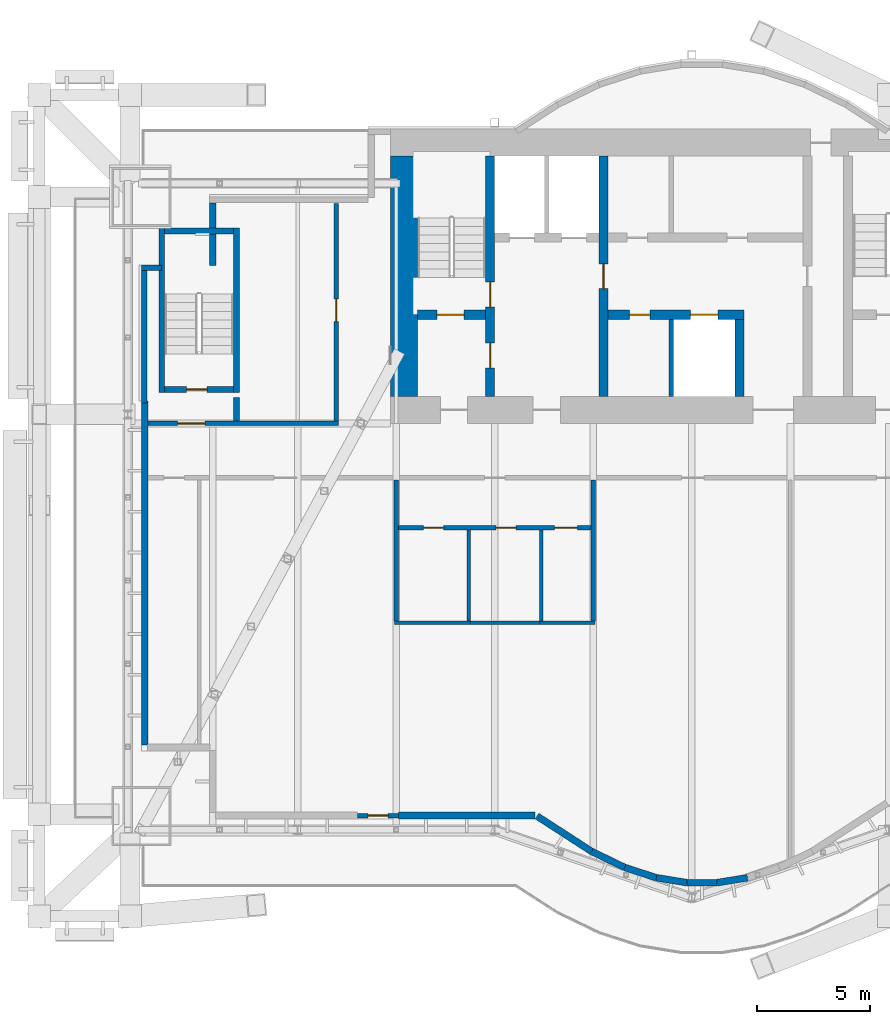
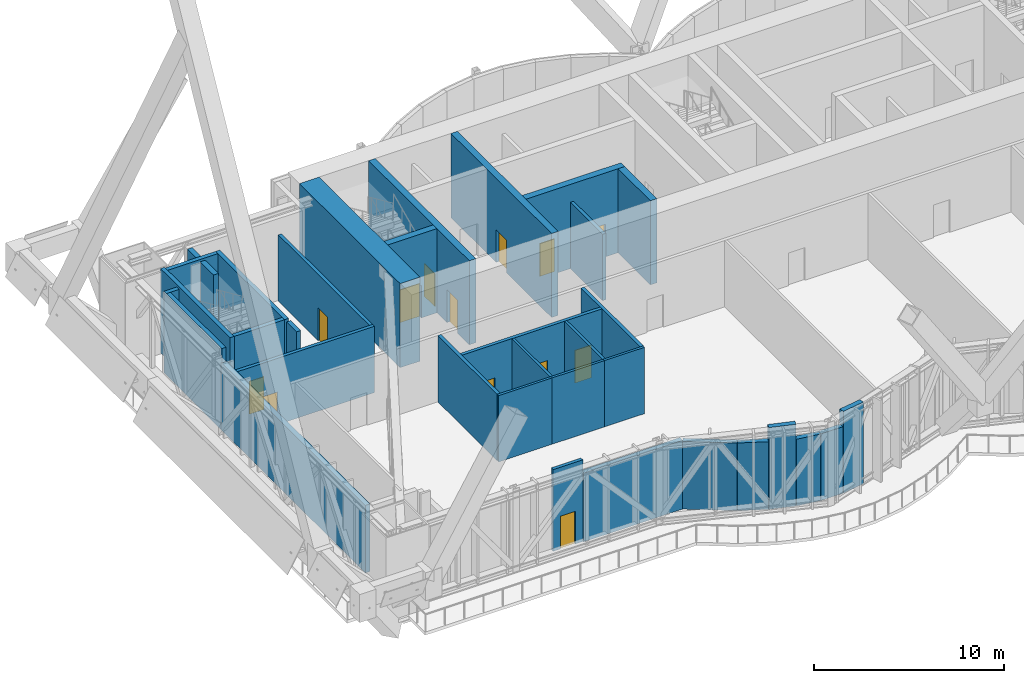
# One storey, part 23 of 30: 34 walls, 13 doors, 13 openings.
"""IFC4 building model written with IfcOpenShell, lengths in metres."""

from ifc_helpers import new_model, si_unit, direction, frame, frame_2d, origin, place, context, subcontext, project, spatial, rectangle, extrude, material, layer, layer_set, layer_usage, type_object, element, fill, save


model = new_model("IFC4")

# Units and contexts
model_context = context("Model", 3, precision=1e-05, world=origin(), true_north=direction((0.0, 1.0)))
body_context = subcontext(model_context, "Body", "Model", "MODEL_VIEW")
ifc_project = project(units=[si_unit("LENGTHUNIT", "METRE"), si_unit("AREAUNIT", "SQUARE_METRE"), si_unit("VOLUMEUNIT", "CUBIC_METRE"), si_unit("PLANEANGLEUNIT", "RADIAN"), si_unit("MASSUNIT", "GRAM", prefix="KILO")], contexts=[model_context])

# Site, building, storey
site_placement = place(None, origin())
site = spatial("IfcSite", under=ifc_project, at=site_placement, CompositionType="ELEMENT")
building_placement = place(site_placement, origin())
building = spatial("IfcBuilding", under=site, at=building_placement, Name="Bicima Exchange Tower", CompositionType="ELEMENT")
storey_placement = place(building_placement, frame((0.0, 0.0, 185.5)))
storey = spatial("IfcBuildingStorey", under=building, at=storey_placement, Name="L41", CompositionType="ELEMENT", Elevation=185.5)

# Wall, opening, door
ifc_material_1 = material(Name="Concrete C40/50", Category="concrete")
ifc_layer_1 = layer(ifc_material_1, 0.2)
ifc_layer_set_1 = layer_set([ifc_layer_1], Name="Concrete C40/50")
ifc_layer_usage_1 = layer_usage(ifc_layer_set_1, "AXIS2", "POSITIVE", -0.1)
wall_type_1 = type_object("IfcWallType", Name="Entrance frame wall 200", PredefinedType="STANDARD", material=ifc_layer_set_1)
wall_1_placement = place(storey_placement, frame((-21.64990234375, -30.31005859375, 0.0), z_axis=(0.0, 0.0, 1.0), x_axis=(-1.0, 0.0, 0.0)))
wall_1 = element("IfcWall", 1, at=wall_1_placement, inside=storey, type_object=wall_type_1, material=ifc_layer_usage_1, Name="Band door frame wall L41", PredefinedType="STANDARD", context=body_context, shape_type="SweptSolid", body=[
    extrude(rectangle(XDim=1.800048828125, YDim=0.199951171875, at=frame_2d((0.89990234375, 0.0))), origin(), (0.0, 0.0, 1.0), 5.25),
])
opening_1_placement = place(wall_1_placement, frame((0.449951171875, 0.0, 0.0)))
opening_1 = element("IfcOpeningElement", 2, at=opening_1_placement, cuts=wall_1, Name="Opening DX5", PredefinedType="OPENING", context=body_context, shape_type="SweptSolid", body=[
    extrude(rectangle(XDim=0.89990234375, YDim=2.10009765625, at=frame_2d((0.449951171875, 1.050048828125))), frame((0.0, 0.11181640625, 0.0), z_axis=(0.0, -1.0, 0.0), x_axis=(1.0, 0.0, 0.0)), (0.0, 0.0, 1.0), 0.223876953125),
])
ifc_material_2 = material(Name="Anodised bronze aluminium and bonded safety glass", Category="aluminium")
door_type_1 = type_object("IfcDoorType", Name="Band terrace door, single leaf 900 x 2100", OperationType="SINGLE_SWING_LEFT", PredefinedType="DOOR", material=ifc_material_2)
door_1_placement = place(opening_1_placement, origin())
door_1 = element("IfcDoor", 3, at=door_1_placement, inside=storey, type_object=door_type_1, Name="Band door door L41", OperationType="SINGLE_SWING_LEFT", OverallHeight=2.10009765625, OverallWidth=0.89990234375, PredefinedType="DOOR", context=body_context, shape_type="SweptSolid", body=[
    extrude(rectangle(XDim=0.89990234375, YDim=2.10009765625, at=frame_2d((0.449951171875, 1.050048828125))), frame((0.0, 0.02490234375, 0.0), z_axis=(0.0, -1.0, 0.0), x_axis=(1.0, 0.0, 0.0)), (0.0, 0.0, 1.0), 0.050048828125),
])
fill(opening_1, door_1)

# Wall
ifc_material_3 = material(Name="Gypsum board partition")
ifc_layer_2 = layer(ifc_material_3, 0.199951171875)
ifc_layer_set_2 = layer_set([ifc_layer_2], Name="Gypsum board partition")
wall_type_2 = type_object("IfcWallType", Name="Fire-rated gypsum partition 200 EI120", PredefinedType="PARTITIONING", material=ifc_layer_set_2)
wall_2_placement = place(storey_placement, frame((-9.60009765625, -11.800048828125, 0.0), z_axis=(0.0, 0.0, 1.0), x_axis=(0.0, 1.0, 0.0)))
element("IfcWall", 4, at=wall_2_placement, inside=storey, type_object=wall_type_2, Name="partition wall 11", PredefinedType="PARTITIONING", context=body_context, shape_type="SweptSolid", body=[
    extrude(rectangle(XDim=3.400146484375, YDim=0.199951171875, at=frame_2d((1.7001953125, 0.0))), origin(), (0.0, 0.0, 1.0), 4.259765625),
])

# Wall, openings, doors
ifc_layer_3 = layer(ifc_material_3, 0.199951171875)
ifc_layer_set_3 = layer_set([ifc_layer_3], Name="Gypsum board partition")
wall_type_3 = type_object("IfcWallType", Name="Fire-rated gypsum partition 200 EI60", PredefinedType="PARTITIONING", material=ifc_layer_set_3)
wall_3_placement = place(storey_placement, frame((-21.64990234375, -17.60009765625, 0.0), z_axis=(0.0, 0.0, 1.0), x_axis=(1.0, 0.0, 0.0)))
wall_3 = element("IfcWall", 5, at=wall_3_placement, inside=storey, type_object=wall_type_3, Name="partition wall 4", PredefinedType="PARTITIONING", context=body_context, shape_type="SweptSolid", body=[
    extrude(rectangle(XDim=8.5, YDim=0.199951171875, at=frame_2d((4.25, 0.0))), origin(), (0.0, 0.0, 1.0), 4.259765625),
])
opening_2_placement = place(wall_3_placement, frame((1.10009765625, 0.0, 0.0)))
opening_2 = element("IfcOpeningElement", 6, at=opening_2_placement, cuts=wall_3, Name="Opening L41-010", PredefinedType="OPENING", context=body_context, shape_type="SweptSolid", body=[
    extrude(rectangle(XDim=0.89990234375, YDim=2.10009765625, at=frame_2d((0.449951171875, 1.050048828125))), frame((0.0, 0.11181640625, 0.0), z_axis=(0.0, -1.0, 0.0), x_axis=(1.0, 0.0, 0.0)), (0.0, 0.0, 1.0), 0.223876953125),
])
opening_3_placement = place(wall_3_placement, frame((4.300048828125, 0.0, 0.0)))
opening_3 = element("IfcOpeningElement", 7, at=opening_3_placement, cuts=wall_3, Name="Opening L41-011", PredefinedType="OPENING", context=body_context, shape_type="SweptSolid", body=[
    extrude(rectangle(XDim=0.89990234375, YDim=2.10009765625, at=frame_2d((0.449951171875, 1.050048828125))), frame((0.0, 0.11181640625, 0.0), z_axis=(0.0, -1.0, 0.0), x_axis=(1.0, 0.0, 0.0)), (0.0, 0.0, 1.0), 0.223876953125),
])
opening_4_placement = place(wall_3_placement, frame((6.89990234375, 0.0, 0.0)))
opening_4 = element("IfcOpeningElement", 8, at=opening_4_placement, cuts=wall_3, Name="Opening L41-012", PredefinedType="OPENING", context=body_context, shape_type="SweptSolid", body=[
    extrude(rectangle(XDim=1.0, YDim=2.10009765625, at=frame_2d((0.5, 1.050048828125))), frame((0.0, 0.11181640625, 0.0), z_axis=(0.0, -1.0, 0.0), x_axis=(1.0, 0.0, 0.0)), (0.0, 0.0, 1.0), 0.223876953125),
])
ifc_material_4 = material(Name="Steel fire door leaf", Category="steel")
door_type_2 = type_object("IfcDoorType", Name="Door 1000 swing FD30S", OperationType="SINGLE_SWING_LEFT", PredefinedType="DOOR", material=ifc_material_4)
door_2_placement = place(opening_4_placement, frame((1.0, 0.0, 0.0), z_axis=(0.0, 0.0, 1.0), x_axis=(-1.0, 0.0, 0.0)))
door_2 = element("IfcDoor", 9, at=door_2_placement, inside=storey, type_object=door_type_2, Name="Door", OperationType="SINGLE_SWING_RIGHT", OverallHeight=2.10009765625, OverallWidth=1.0, PredefinedType="DOOR", context=body_context, shape_type="SweptSolid", body=[
    extrude(rectangle(XDim=1.0, YDim=2.10009765625, at=frame_2d((0.5, 1.050048828125))), frame((0.0, 0.02490234375, 0.0), z_axis=(0.0, -1.0, 0.0), x_axis=(1.0, 0.0, 0.0)), (0.0, 0.0, 1.0), 0.050048828125),
])
fill(opening_4, door_2)
door_type_3 = type_object("IfcDoorType", Name="Door 900 swing FD30S", OperationType="SINGLE_SWING_LEFT", PredefinedType="DOOR", material=ifc_material_4)
door_3_placement = place(opening_2_placement, frame((0.89990234375, 0.0, 0.0), z_axis=(0.0, 0.0, 1.0), x_axis=(-1.0, 0.0, 0.0)))
door_3 = element("IfcDoor", 10, at=door_3_placement, inside=storey, type_object=door_type_3, Name="Door", OperationType="SINGLE_SWING_LEFT", OverallHeight=2.10009765625, OverallWidth=0.89990234375, PredefinedType="DOOR", context=body_context, shape_type="SweptSolid", body=[
    extrude(rectangle(XDim=0.89990234375, YDim=2.10009765625, at=frame_2d((0.449951171875, 1.050048828125))), frame((0.0, 0.02490234375, 0.0), z_axis=(0.0, -1.0, 0.0), x_axis=(1.0, 0.0, 0.0)), (0.0, 0.0, 1.0), 0.050048828125),
])
fill(opening_2, door_3)
door_4_placement = place(opening_3_placement, frame((0.89990234375, 0.0, 0.0), z_axis=(0.0, 0.0, 1.0), x_axis=(-1.0, 0.0, 0.0)))
door_4 = element("IfcDoor", 11, at=door_4_placement, inside=storey, type_object=door_type_3, Name="Door", OperationType="SINGLE_SWING_RIGHT", OverallHeight=2.10009765625, OverallWidth=0.89990234375, PredefinedType="DOOR", context=body_context, shape_type="SweptSolid", body=[
    extrude(rectangle(XDim=0.89990234375, YDim=2.10009765625, at=frame_2d((0.449951171875, 1.050048828125))), frame((0.0, 0.02490234375, 0.0), z_axis=(0.0, -1.0, 0.0), x_axis=(1.0, 0.0, 0.0)), (0.0, 0.0, 1.0), 0.050048828125),
])
fill(opening_3, door_4)

# Wall, opening, door
wall_4_placement = place(storey_placement, frame((-32.699951171875, -13.0, 0.0), z_axis=(0.0, 0.0, 1.0), x_axis=(1.0, 0.0, 0.0)))
wall_4 = element("IfcWall", 12, at=wall_4_placement, inside=storey, type_object=wall_type_3, Name="partition wall 6", PredefinedType="PARTITIONING", context=body_context, shape_type="SweptSolid", body=[
    extrude(rectangle(XDim=8.39990234375, YDim=0.199951171875, at=frame_2d((4.199951171875, 0.0))), origin(), (0.0, 0.0, 1.0), 4.259765625),
])
opening_5_placement = place(wall_4_placement, frame((1.300048828125, 0.0, 0.0)))
opening_5 = element("IfcOpeningElement", 13, at=opening_5_placement, cuts=wall_4, Name="Opening L41-001", PredefinedType="OPENING", context=body_context, shape_type="SweptSolid", body=[
    extrude(rectangle(XDim=1.199951171875, YDim=2.10009765625, at=frame_2d((0.60009765625, 1.050048828125))), frame((0.0, 0.11181640625, 0.0), z_axis=(0.0, -1.0, 0.0), x_axis=(1.0, 0.0, 0.0)), (0.0, 0.0, 1.0), 0.223876953125),
])
door_type_4 = type_object("IfcDoorType", Name="Door 1200 swing FD30S", OperationType="SINGLE_SWING_LEFT", PredefinedType="DOOR", material=ifc_material_4)
door_5_placement = place(opening_5_placement, origin())
door_5 = element("IfcDoor", 14, at=door_5_placement, inside=storey, type_object=door_type_4, Name="Door", OperationType="SINGLE_SWING_LEFT", OverallHeight=2.10009765625, OverallWidth=1.199951171875, PredefinedType="DOOR", context=body_context, shape_type="SweptSolid", body=[
    extrude(rectangle(XDim=1.199951171875, YDim=2.10009765625, at=frame_2d((0.60009765625, 1.050048828125))), frame((0.0, 0.02490234375, 0.0), z_axis=(0.0, -1.0, 0.0), x_axis=(1.0, 0.0, 0.0)), (0.0, 0.0, 1.0), 0.050048828125),
])
fill(opening_5, door_5)

wall_5_placement = place(storey_placement, frame((-24.39990234375, -12.89990234375, 0.0), z_axis=(0.0, 0.0, 1.0), x_axis=(0.0, 1.0, 0.0)))
wall_5 = element("IfcWall", 15, at=wall_5_placement, inside=storey, type_object=wall_type_3, Name="partition wall 15", PredefinedType="PARTITIONING", context=body_context, shape_type="SweptSolid", body=[
    extrude(rectangle(XDim=9.599853515625, YDim=0.199951171875, at=frame_2d((4.7998046875, 0.0))), origin(), (0.0, 0.0, 1.0), 4.259765625),
])
opening_6_placement = place(wall_5_placement, frame((4.39990234375, 0.0, 0.0)))
opening_6 = element("IfcOpeningElement", 16, at=opening_6_placement, cuts=wall_5, Name="Opening L41-005", PredefinedType="OPENING", context=body_context, shape_type="SweptSolid", body=[
    extrude(rectangle(XDim=1.0, YDim=2.10009765625, at=frame_2d((0.5, 1.050048828125))), frame((0.0, 0.11181640625, 0.0), z_axis=(0.0, -1.0, 0.0), x_axis=(1.0, 0.0, 0.0)), (0.0, 0.0, 1.0), 0.223876953125),
])
door_6_placement = place(opening_6_placement, origin())
door_6 = element("IfcDoor", 17, at=door_6_placement, inside=storey, type_object=door_type_2, Name="Door", OperationType="SINGLE_SWING_LEFT", OverallHeight=2.10009765625, OverallWidth=1.0, PredefinedType="DOOR", context=body_context, shape_type="SweptSolid", body=[
    extrude(rectangle(XDim=1.0, YDim=2.10009765625, at=frame_2d((0.5, 1.050048828125))), frame((0.0, 0.02490234375, 0.0), z_axis=(0.0, -1.0, 0.0), x_axis=(1.0, 0.0, 0.0)), (0.0, 0.0, 1.0), 0.050048828125),
])
fill(opening_6, door_6)

# Walls
for number, where, z_axis, x_axis, name in (
    (18, (-21.75, -21.72509765625, 0.0), (0.0, 0.0, 1.0), (0.0, 1.0, 0.0), "partition wall 16"),
    (19, (-13.050048828125, -21.72509765625, 0.0), (0.0, 0.0, 1.0), (0.0, 1.0, 0.0), "partition wall 19"),
):
    element("IfcWall", number, at=place(storey_placement, frame(where, z_axis=z_axis, x_axis=x_axis)), inside=storey, type_object=wall_type_3, Name=name, PredefinedType="PARTITIONING", context=body_context, shape_type="SweptSolid", body=[
        extrude(rectangle(XDim=6.22509765625, YDim=0.199951171875, at=frame_2d((3.112548828125, 0.0))), origin(), (0.0, 0.0, 1.0), 4.259765625),
    ])
ifc_layer_4 = layer(ifc_material_3, 0.14990234375)
ifc_layer_set_4 = layer_set([ifc_layer_4], Name="Gypsum board partition")
wall_type_4 = type_object("IfcWallType", Name="Gypsum partition 150", PredefinedType="PARTITIONING", material=ifc_layer_set_4)
wall_6_placement = place(storey_placement, frame((-21.830078125, -21.800048828125, 0.0), z_axis=(0.0, 0.0, 1.0), x_axis=(1.0, 0.0, 0.0)))
element("IfcWall", 20, at=wall_6_placement, inside=storey, type_object=wall_type_4, Name="partition wall 1", PredefinedType="PARTITIONING", context=body_context, shape_type="SweptSolid", body=[
    extrude(rectangle(XDim=3.3349609375, YDim=0.14990234375, at=frame_2d((1.66748046875, 0.0))), origin(), (0.0, 0.0, 1.0), 4.259765625),
])
wall_7_placement = place(storey_placement, frame((-18.60498046875, -21.800048828125, 0.0), z_axis=(0.0, 0.0, 1.0), x_axis=(1.0, 0.0, 0.0)))
element("IfcWall", 21, at=wall_7_placement, inside=storey, type_object=wall_type_4, Name="partition wall 2", PredefinedType="PARTITIONING", context=body_context, shape_type="SweptSolid", body=[
    extrude(rectangle(XDim=3.31005859375, YDim=0.14990234375, at=frame_2d((1.655029296875, 0.0))), origin(), (0.0, 0.0, 1.0), 4.259765625),
])
wall_8_placement = place(storey_placement, frame((-15.405029296875, -21.800048828125, 0.0), z_axis=(0.0, 0.0, 1.0), x_axis=(1.0, 0.0, 0.0)))
element("IfcWall", 22, at=wall_8_placement, inside=storey, type_object=wall_type_4, Name="partition wall 3", PredefinedType="PARTITIONING", context=body_context, shape_type="SweptSolid", body=[
    extrude(rectangle(XDim=2.43505859375, YDim=0.14990234375, at=frame_2d((1.217529296875, 0.0))), origin(), (0.0, 0.0, 1.0), 4.259765625),
])
for number, where, z_axis, x_axis, name in (
    (23, (-18.550048828125, -21.72509765625, 0.0), (0.0, 0.0, 1.0), (0.0, 1.0, 0.0), "partition wall 17"),
    (24, (-15.35009765625, -21.72509765625, 0.0), (0.0, 0.0, 1.0), (0.0, 1.0, 0.0), "partition wall 18"),
):
    element("IfcWall", number, at=place(storey_placement, frame(where, z_axis=z_axis, x_axis=x_axis)), inside=storey, type_object=wall_type_4, Name=name, PredefinedType="PARTITIONING", context=body_context, shape_type="SweptSolid", body=[
        extrude(rectangle(XDim=4.025146484375, YDim=0.14990234375, at=frame_2d((2.0126953125, 0.0))), origin(), (0.0, 0.0, 1.0), 4.259765625),
    ])
ifc_material_5 = material(Name="Concrete C50/60", Category="concrete")
ifc_layer_5 = layer(ifc_material_5, 1.199951171875)
ifc_layer_set_5 = layer_set([ifc_layer_5], Name="Concrete C50/60")
wall_type_5 = type_object("IfcWallType", Name="RC core wall 1200 C50/60", PredefinedType="SHEAR", material=ifc_layer_set_5)
wall_9_placement = place(storey_placement, frame((-21.39990234375, -11.800048828125, 0.0), z_axis=(0.0, 0.0, 1.0), x_axis=(0.0, 1.0, 0.0)))
element("IfcWall", 25, at=wall_9_placement, inside=storey, type_object=wall_type_5, Name="Core wall west", PredefinedType="SHEAR", context=body_context, shape_type="SweptSolid", body=[
    extrude(rectangle(XDim=10.60009765625, YDim=1.199951171875, at=frame_2d((5.300048828125, 0.0))), origin(), (0.0, 0.0, 1.0), 5.39990234375),
])
ifc_layer_6 = layer(ifc_material_5, 0.25)
ifc_layer_set_6 = layer_set([ifc_layer_6], Name="Concrete C50/60")
wall_type_6 = type_object("IfcWallType", Name="RC core wall 250 C50/60", PredefinedType="SHEAR", material=ifc_layer_set_6)
wall_10_placement = place(storey_placement, frame((-28.800048828125, -12.89990234375, 0.0), z_axis=(0.0, 0.0, 1.0), x_axis=(0.0, 1.0, 0.0)))
element("IfcWall", 26, at=wall_10_placement, inside=storey, type_object=wall_type_6, Name="stair wall 14", PredefinedType="SHEAR", context=body_context, shape_type="SweptSolid", body=[
    extrude(rectangle(XDim=1.0498046875, YDim=0.25, at=frame_2d((0.52490234375, 0.0))), origin(), (0.0, 0.0, 1.0), 5.39990234375),
])

# Wall, opening, door
ifc_layer_7 = layer(ifc_material_5, 0.39990234375)
ifc_layer_set_7 = layer_set([ifc_layer_7], Name="Concrete C50/60")
wall_type_7 = type_object("IfcWallType", Name="RC core wall 400 C50/60", PredefinedType="SHEAR", material=ifc_layer_set_7)
wall_11_placement = place(storey_placement, frame((-20.800048828125, -8.199951171875, 0.0), z_axis=(0.0, 0.0, 1.0), x_axis=(1.0, 0.0, 0.0)))
wall_11 = element("IfcWall", 27, at=wall_11_placement, inside=storey, type_object=wall_type_7, Name="stair wall 1", PredefinedType="SHEAR", context=body_context, shape_type="SweptSolid", body=[
    extrude(rectangle(XDim=3.0, YDim=0.39990234375, at=frame_2d((1.5, 0.0))), origin(), (0.0, 0.0, 1.0), 5.39990234375),
])
opening_7_placement = place(wall_11_placement, frame((0.85009765625, 0.0, 0.0)))
opening_7 = element("IfcOpeningElement", 28, at=opening_7_placement, cuts=wall_11, Name="Opening L41-C01", PredefinedType="OPENING", context=body_context, shape_type="SweptSolid", body=[
    extrude(rectangle(XDim=1.199951171875, YDim=2.10009765625, at=frame_2d((0.60009765625, 1.050048828125))), frame((0.0, 0.2119140625, 0.0), z_axis=(0.0, -1.0, 0.0), x_axis=(1.0, 0.0, 0.0)), (0.0, 0.0, 1.0), 0.423828125),
])
door_type_5 = type_object("IfcDoorType", Name="Door 1200 swing FD60S", OperationType="SINGLE_SWING_LEFT", PredefinedType="DOOR", material=ifc_material_4)
door_7_placement = place(opening_7_placement, origin())
door_7 = element("IfcDoor", 29, at=door_7_placement, inside=storey, type_object=door_type_5, Name="Core door", OperationType="SINGLE_SWING_LEFT", OverallHeight=2.10009765625, OverallWidth=1.199951171875, PredefinedType="DOOR", context=body_context, shape_type="SweptSolid", body=[
    extrude(rectangle(XDim=1.199951171875, YDim=2.10009765625, at=frame_2d((0.60009765625, 1.050048828125))), frame((0.0, 0.02490234375, 0.0), z_axis=(0.0, -1.0, 0.0), x_axis=(1.0, 0.0, 0.0)), (0.0, 0.0, 1.0), 0.050048828125),
])
fill(opening_7, door_7)

# Wall, openings, doors
wall_12_placement = place(storey_placement, frame((-12.39990234375, -8.199951171875, 0.0), z_axis=(0.0, 0.0, 1.0), x_axis=(1.0, 0.0, 0.0)))
wall_12 = element("IfcWall", 30, at=wall_12_placement, inside=storey, type_object=wall_type_7, Name="shear wall 2", PredefinedType="SHEAR", context=body_context, shape_type="SweptSolid", body=[
    extrude(rectangle(XDim=6.0, YDim=0.39990234375, at=frame_2d((3.0, 0.0))), origin(), (0.0, 0.0, 1.0), 5.39990234375),
])
opening_8_placement = place(wall_12_placement, frame((3.64990234375, 0.0, 0.0)))
opening_8 = element("IfcOpeningElement", 31, at=opening_8_placement, cuts=wall_12, Name="Opening LD-MB1-L41", PredefinedType="OPENING", context=body_context, shape_type="SweptSolid", body=[
    extrude(rectangle(XDim=1.199951171875, YDim=2.10009765625, at=frame_2d((0.60009765625, 1.050048828125))), frame((0.0, 0.2119140625, 0.0), z_axis=(0.0, -1.0, 0.0), x_axis=(1.0, 0.0, 0.0)), (0.0, 0.0, 1.0), 0.423828125),
])
opening_9_placement = place(wall_12_placement, frame((0.949951171875, 0.0, 0.0)))
opening_9 = element("IfcOpeningElement", 32, at=opening_9_placement, cuts=wall_12, Name="Opening L41-C15", PredefinedType="OPENING", context=body_context, shape_type="SweptSolid", body=[
    extrude(rectangle(XDim=0.89990234375, YDim=2.10009765625, at=frame_2d((0.449951171875, 1.050048828125))), frame((0.0, 0.2119140625, 0.0), z_axis=(0.0, -1.0, 0.0), x_axis=(1.0, 0.0, 0.0)), (0.0, 0.0, 1.0), 0.423828125),
])
door_8_placement = place(opening_9_placement, frame((0.89990234375, 0.0, 0.0), z_axis=(0.0, 0.0, 1.0), x_axis=(-1.0, 0.0, 0.0)))
door_8 = element("IfcDoor", 33, at=door_8_placement, inside=storey, type_object=door_type_3, Name="Core door", OperationType="SINGLE_SWING_RIGHT", OverallHeight=2.10009765625, OverallWidth=0.89990234375, PredefinedType="DOOR", context=body_context, shape_type="SweptSolid", body=[
    extrude(rectangle(XDim=0.89990234375, YDim=2.10009765625, at=frame_2d((0.449951171875, 1.050048828125))), frame((0.0, 0.02490234375, 0.0), z_axis=(0.0, -1.0, 0.0), x_axis=(1.0, 0.0, 0.0)), (0.0, 0.0, 1.0), 0.050048828125),
])
fill(opening_9, door_8)
ifc_material_6 = material(Name="Stainless steel", Category="steel")
door_type_6 = type_object("IfcDoorType", Name="Lift landing door 1200 sliding", OperationType="DOUBLE_DOOR_SLIDING", PredefinedType="DOOR", material=ifc_material_6)
door_9_placement = place(opening_8_placement, origin())
door_9 = element("IfcDoor", 34, at=door_9_placement, inside=storey, type_object=door_type_6, Name="Lift landing door MB1", OperationType="DOUBLE_DOOR_SLIDING", OverallHeight=2.10009765625, OverallWidth=1.199951171875, PredefinedType="DOOR", context=body_context, shape_type="SweptSolid", body=[
    extrude(rectangle(XDim=1.199951171875, YDim=2.10009765625, at=frame_2d((0.60009765625, 1.050048828125))), frame((0.0, 0.02490234375, 0.0), z_axis=(0.0, -1.0, 0.0), x_axis=(1.0, 0.0, 0.0)), (0.0, 0.0, 1.0), 0.050048828125),
])
fill(opening_8, door_9)

wall_13_placement = place(storey_placement, frame((-17.60009765625, -11.800048828125, 0.0), z_axis=(0.0, 0.0, 1.0), x_axis=(0.0, 1.0, 0.0)))
wall_13 = element("IfcWall", 35, at=wall_13_placement, inside=storey, type_object=wall_type_7, Name="stair wall 8", PredefinedType="SHEAR", context=body_context, shape_type="SweptSolid", body=[
    extrude(rectangle(XDim=10.60009765625, YDim=0.39990234375, at=frame_2d((5.300048828125, 0.0))), origin(), (0.0, 0.0, 1.0), 5.39990234375),
])
opening_10_placement = place(wall_13_placement, frame((1.25, 0.0, 0.0)))
opening_10 = element("IfcOpeningElement", 36, at=opening_10_placement, cuts=wall_13, Name="Opening L41-C02", PredefinedType="OPENING", context=body_context, shape_type="SweptSolid", body=[
    extrude(rectangle(XDim=1.10009765625, YDim=2.10009765625, at=frame_2d((0.550048828125, 1.050048828125))), frame((0.0, 0.2119140625, 0.0), z_axis=(0.0, -1.0, 0.0), x_axis=(1.0, 0.0, 0.0)), (0.0, 0.0, 1.0), 0.423828125),
])
opening_11_placement = place(wall_13_placement, frame((3.949951171875, 0.0, 0.0)))
opening_11 = element("IfcOpeningElement", 37, at=opening_11_placement, cuts=wall_13, Name="Opening L41-C06", PredefinedType="OPENING", context=body_context, shape_type="SweptSolid", body=[
    extrude(rectangle(XDim=1.10009765625, YDim=2.10009765625, at=frame_2d((0.550048828125, 1.050048828125))), frame((0.0, 0.2119140625, 0.0), z_axis=(0.0, -1.0, 0.0), x_axis=(1.0, 0.0, 0.0)), (0.0, 0.0, 1.0), 0.423828125),
])
door_type_7 = type_object("IfcDoorType", Name="Door 1100 swing FD60S", OperationType="SINGLE_SWING_LEFT", PredefinedType="DOOR", material=ifc_material_4)
door_10_placement = place(opening_10_placement, frame((1.10009765625, 0.0, 0.0), z_axis=(0.0, 0.0, 1.0), x_axis=(-1.0, 0.0, 0.0)))
door_10 = element("IfcDoor", 38, at=door_10_placement, inside=storey, type_object=door_type_7, Name="Core door", OperationType="SINGLE_SWING_LEFT", OverallHeight=2.10009765625, OverallWidth=1.10009765625, PredefinedType="DOOR", context=body_context, shape_type="SweptSolid", body=[
    extrude(rectangle(XDim=1.10009765625, YDim=2.10009765625, at=frame_2d((0.550048828125, 1.050048828125))), frame((0.0, 0.02490234375, 0.0), z_axis=(0.0, -1.0, 0.0), x_axis=(1.0, 0.0, 0.0)), (0.0, 0.0, 1.0), 0.050048828125),
])
fill(opening_10, door_10)
door_11_placement = place(opening_11_placement, frame((1.10009765625, 0.0, 0.0), z_axis=(0.0, 0.0, 1.0), x_axis=(-1.0, 0.0, 0.0)))
door_11 = element("IfcDoor", 39, at=door_11_placement, inside=storey, type_object=door_type_7, Name="Core door", OperationType="SINGLE_SWING_LEFT", OverallHeight=2.10009765625, OverallWidth=1.10009765625, PredefinedType="DOOR", context=body_context, shape_type="SweptSolid", body=[
    extrude(rectangle(XDim=1.10009765625, YDim=2.10009765625, at=frame_2d((0.550048828125, 1.050048828125))), frame((0.0, 0.02490234375, 0.0), z_axis=(0.0, -1.0, 0.0), x_axis=(1.0, 0.0, 0.0)), (0.0, 0.0, 1.0), 0.050048828125),
])
fill(opening_11, door_11)

# Wall, opening, door
wall_14_placement = place(storey_placement, frame((-12.60009765625, -11.800048828125, 0.0), z_axis=(0.0, 0.0, 1.0), x_axis=(0.0, 1.0, 0.0)))
wall_14 = element("IfcWall", 40, at=wall_14_placement, inside=storey, type_object=wall_type_7, Name="shear wall 10", PredefinedType="SHEAR", context=body_context, shape_type="SweptSolid", body=[
    extrude(rectangle(XDim=10.60009765625, YDim=0.39990234375, at=frame_2d((5.300048828125, 0.0))), origin(), (0.0, 0.0, 1.0), 5.39990234375),
])
opening_12_placement = place(wall_14_placement, frame((4.75, 0.0, 0.0)))
opening_12 = element("IfcOpeningElement", 41, at=opening_12_placement, cuts=wall_14, Name="Opening L41-C07", PredefinedType="OPENING", context=body_context, shape_type="SweptSolid", body=[
    extrude(rectangle(XDim=1.10009765625, YDim=2.10009765625, at=frame_2d((0.550048828125, 1.050048828125))), frame((0.0, 0.2119140625, 0.0), z_axis=(0.0, -1.0, 0.0), x_axis=(1.0, 0.0, 0.0)), (0.0, 0.0, 1.0), 0.423828125),
])
door_12_placement = place(opening_12_placement, origin())
door_12 = element("IfcDoor", 42, at=door_12_placement, inside=storey, type_object=door_type_7, Name="Core door", OperationType="SINGLE_SWING_LEFT", OverallHeight=2.10009765625, OverallWidth=1.10009765625, PredefinedType="DOOR", context=body_context, shape_type="SweptSolid", body=[
    extrude(rectangle(XDim=1.10009765625, YDim=2.10009765625, at=frame_2d((0.550048828125, 1.050048828125))), frame((0.0, 0.02490234375, 0.0), z_axis=(0.0, -1.0, 0.0), x_axis=(1.0, 0.0, 0.0)), (0.0, 0.0, 1.0), 0.050048828125),
])
fill(opening_12, door_12)

# Walls
wall_15_placement = place(storey_placement, frame((-6.60009765625, -11.800048828125, 0.0), z_axis=(0.0, 0.0, 1.0), x_axis=(0.0, 1.0, 0.0)))
element("IfcWall", 43, at=wall_15_placement, inside=storey, type_object=wall_type_7, Name="shear wall 13", PredefinedType="SHEAR", context=body_context, shape_type="SweptSolid", body=[
    extrude(rectangle(XDim=3.400146484375, YDim=0.39990234375, at=frame_2d((1.7001953125, 0.0))), origin(), (0.0, 0.0, 1.0), 5.39990234375),
])
ifc_layer_8 = layer(ifc_material_5, 0.25)
ifc_layer_set_8 = layer_set([ifc_layer_8], Name="Concrete C50/60")
wall_type_8 = type_object("IfcWallType", Name="RC stair enclosure wall 250 C50/60", PredefinedType="SHEAR", material=ifc_layer_set_8)
wall_16_placement = place(storey_placement, frame((-32.10009765625, -11.625, 0.0), z_axis=(0.0, 0.0, 1.0), x_axis=(0.0, 1.0, 0.0)))
element("IfcWall", 44, at=wall_16_placement, inside=storey, type_object=wall_type_8, Name="West end exit stair wall W", PredefinedType="SHEAR", context=body_context, shape_type="SweptSolid", body=[
    extrude(rectangle(XDim=7.324951171875, YDim=0.25, at=frame_2d((3.66259765625, 0.0))), origin(), (0.0, 0.0, 1.0), 5.39990234375),
])
wall_17_placement = place(storey_placement, frame((-28.800048828125, -11.625, 0.0), z_axis=(0.0, 0.0, 1.0), x_axis=(0.0, 1.0, 0.0)))
element("IfcWall", 45, at=wall_17_placement, inside=storey, type_object=wall_type_8, Name="West end exit stair wall E", PredefinedType="SHEAR", context=body_context, shape_type="SweptSolid", body=[
    extrude(rectangle(XDim=7.25, YDim=0.25, at=frame_2d((3.625, 0.0))), origin(), (0.0, 0.0, 1.0), 5.39990234375),
])

# Wall, opening, door
wall_18_placement = place(storey_placement, frame((-31.97509765625, -11.5, 0.0), z_axis=(0.0, 0.0, 1.0), x_axis=(1.0, 0.0, 0.0)))
wall_18 = element("IfcWall", 46, at=wall_18_placement, inside=storey, type_object=wall_type_8, Name="West end exit stair wall S", PredefinedType="SHEAR", context=body_context, shape_type="SweptSolid", body=[
    extrude(rectangle(XDim=3.050048828125, YDim=0.25, at=frame_2d((1.52490234375, 0.0))), origin(), (0.0, 0.0, 1.0), 5.39990234375),
])
opening_13_placement = place(wall_18_placement, frame((0.97509765625, 0.0, 0.0)))
opening_13 = element("IfcOpeningElement", 47, at=opening_13_placement, cuts=wall_18, Name="Opening L41-002", PredefinedType="OPENING", context=body_context, shape_type="SweptSolid", body=[
    extrude(rectangle(XDim=0.89990234375, YDim=2.10009765625, at=frame_2d((0.449951171875, 1.050048828125))), frame((0.0, 0.136962890625, 0.0), z_axis=(0.0, -1.0, 0.0), x_axis=(1.0, 0.0, 0.0)), (0.0, 0.0, 1.0), 0.27392578125),
])
door_type_8 = type_object("IfcDoorType", Name="Door 900 swing FD60S", OperationType="SINGLE_SWING_LEFT", PredefinedType="DOOR", material=ifc_material_4)
door_13_placement = place(opening_13_placement, origin())
door_13 = element("IfcDoor", 48, at=door_13_placement, inside=storey, type_object=door_type_8, Name="Door", OperationType="SINGLE_SWING_LEFT", OverallHeight=2.10009765625, OverallWidth=0.89990234375, PredefinedType="DOOR", context=body_context, shape_type="SweptSolid", body=[
    extrude(rectangle(XDim=0.89990234375, YDim=2.10009765625, at=frame_2d((0.449951171875, 1.050048828125))), frame((0.0, 0.02490234375, 0.0), z_axis=(0.0, -1.0, 0.0), x_axis=(1.0, 0.0, 0.0)), (0.0, 0.0, 1.0), 0.050048828125),
])
fill(opening_13, door_13)

# Walls
wall_19_placement = place(storey_placement, frame((-31.97509765625, -4.5, 0.0), z_axis=(0.0, 0.0, 1.0), x_axis=(1.0, 0.0, 0.0)))
element("IfcWall", 49, at=wall_19_placement, inside=storey, type_object=wall_type_8, Name="West end exit stair wall N", PredefinedType="SHEAR", context=body_context, shape_type="SweptSolid", body=[
    extrude(rectangle(XDim=3.050048828125, YDim=0.25, at=frame_2d((1.52490234375, 0.0))), origin(), (0.0, 0.0, 1.0), 5.39990234375),
])
ifc_layer_9 = layer(ifc_material_1, 0.25)
ifc_layer_set_9 = layer_set([ifc_layer_9], Name="Concrete C40/50")
ifc_layer_usage_2 = layer_usage(ifc_layer_set_9, "AXIS2", "POSITIVE", -0.125)
wall_type_9 = type_object("IfcWallType", Name="Rear backup wall 250", PredefinedType="STANDARD", material=ifc_layer_set_9)
wall_20_placement = place(storey_placement, frame((-32.110107421875, -6.125, 0.0), z_axis=(0.0, 0.0, 1.0), x_axis=(-1.0, 0.0, 0.0)))
element("IfcWall", 50, at=wall_20_placement, inside=storey, type_object=wall_type_9, material=ifc_layer_usage_2, Name="Rear backup wall L41 30", PredefinedType="STANDARD", context=body_context, shape_type="SweptSolid", body=[
    extrude(rectangle(XDim=0.889892578125, YDim=0.25, at=frame_2d((0.44482421875, 0.0))), origin(), (0.0, 0.0, 1.0), 5.25),
])
wall_21_placement = place(storey_placement, frame((-32.875, -6.0, 0.0), z_axis=(0.0, 0.0, 1.0), x_axis=(0.0, -1.0, 0.0)))
element("IfcWall", 51, at=wall_21_placement, inside=storey, type_object=wall_type_9, material=ifc_layer_usage_2, Name="Rear backup wall L41 31", PredefinedType="STANDARD", context=body_context, shape_type="SweptSolid", body=[
    extrude(rectangle(XDim=6.090087890625, YDim=0.25, at=frame_2d((3.044921875, 0.0))), origin(), (0.0, 0.0, 1.0), 5.25),
])
ifc_layer_10 = layer(ifc_material_1, 0.3)
ifc_layer_set_10 = layer_set([ifc_layer_10], Name="Concrete C40/50")
ifc_layer_usage_3 = layer_usage(ifc_layer_set_10, "AXIS2", "POSITIVE", -0.15)
wall_type_10 = type_object("IfcWallType", Name="Refuge band wall 300", PredefinedType="STANDARD", material=ifc_layer_set_10)
wall_22_placement = place(storey_placement, frame((-29.85009765625, -3.27587890625, 0.0), z_axis=(0.0, 0.0, 1.0), x_axis=(0.0, -1.0, 0.0)))
element("IfcWall", 52, at=wall_22_placement, inside=storey, type_object=wall_type_10, material=ifc_layer_usage_3, Name="Refuge band wall L41", PredefinedType="STANDARD", context=body_context, shape_type="SweptSolid", body=[
    extrude(rectangle(XDim=2.748291015625, YDim=0.300048828125, at=frame_2d((1.3740234375, 0.0))), origin(), (0.0, 0.0, 1.0), 5.25),
])
wall_23_placement = place(storey_placement, frame((-32.85009765625, -12.0, 0.0), z_axis=(0.0, 0.0, 1.0), x_axis=(0.0, -1.0, 0.0)))
element("IfcWall", 53, at=wall_23_placement, inside=storey, type_object=wall_type_10, material=ifc_layer_usage_3, Name="Refuge band wall L41", PredefinedType="STANDARD", context=body_context, shape_type="SweptSolid", body=[
    extrude(rectangle(XDim=15.18408203125, YDim=0.300048828125, at=frame_2d((7.592041015625, 0.0))), origin(), (0.0, 0.0, 1.0), 4.338134765625),
])
wall_24_placement = place(storey_placement, frame((-21.64990234375, -30.31005859375, 0.0), z_axis=(0.0, 0.0, 1.0), x_axis=(1.0, 0.0, 0.0)))
element("IfcWall", 54, at=wall_24_placement, inside=storey, type_object=wall_type_10, material=ifc_layer_usage_3, Name="Refuge band wall L41", PredefinedType="STANDARD", context=body_context, shape_type="SweptSolid", body=[
    extrude(rectangle(XDim=6.03515625, YDim=0.300048828125, at=frame_2d((3.017578125, 0.0))), origin(), (0.0, 0.0, 1.0), 4.414306640625),
])
wall_25_placement = place(storey_placement, frame((-15.533203125, -30.333984375, 0.0), z_axis=(0.0, 0.0, 1.0), x_axis=(0.839779682339, -0.542927329512, 0.0)))
element("IfcWall", 55, at=wall_25_placement, inside=storey, type_object=wall_type_10, material=ifc_layer_usage_3, Name="Refuge band wall L41", PredefinedType="STANDARD", context=body_context, shape_type="SweptSolid", body=[
    extrude(rectangle(XDim=2.875244140625, YDim=0.300048828125, at=frame_2d((1.4375, 0.0))), origin(), (0.0, 0.0, 1.0), 4.345703125),
])
wall_26_placement = place(storey_placement, frame((-13.11865234375, -31.89501953125, 0.0), z_axis=(0.0, 0.0, 1.0), x_axis=(0.899798026589, -0.436306671214, 0.0)))
element("IfcWall", 56, at=wall_26_placement, inside=storey, type_object=wall_type_10, material=ifc_layer_usage_3, Name="Refuge band wall L41", PredefinedType="STANDARD", context=body_context, shape_type="SweptSolid", body=[
    extrude(rectangle(XDim=1.62548828125, YDim=0.300048828125, at=frame_2d((0.812744140625, 0.0))), origin(), (0.0, 0.0, 1.0), 4.345703125),
])
wall_27_placement = place(storey_placement, frame((-11.656005859375, -32.604248046875, 0.0), z_axis=(0.0, 0.0, 1.0), x_axis=(0.951539081691, -0.307527845919, 0.0)))
element("IfcWall", 57, at=wall_27_placement, inside=storey, type_object=wall_type_10, material=ifc_layer_usage_3, Name="Refuge band wall L41", PredefinedType="STANDARD", context=body_context, shape_type="SweptSolid", body=[
    extrude(rectangle(XDim=1.467041015625, YDim=0.300048828125, at=frame_2d((0.7333984375, 0.0))), origin(), (0.0, 0.0, 1.0), 5.25),
])
wall_28_placement = place(storey_placement, frame((-10.260009765625, -33.055419921875, 0.0), z_axis=(0.0, 0.0, 1.0), x_axis=(0.987194777017, -0.15951950423, 0.0)))
element("IfcWall", 58, at=wall_28_placement, inside=storey, type_object=wall_type_10, material=ifc_layer_usage_3, Name="Refuge band wall L41", PredefinedType="STANDARD", context=body_context, shape_type="SweptSolid", body=[
    extrude(rectangle(XDim=1.36376953125, YDim=0.300048828125, at=frame_2d((0.681884765625, 0.0))), origin(), (0.0, 0.0, 1.0), 4.27978515625),
])
wall_29_placement = place(storey_placement, frame((-8.913818359375, -33.27294921875, 0.0), z_axis=(0.0, 0.0, 1.0), x_axis=(1.0, 0.0, 0.0)))
element("IfcWall", 59, at=wall_29_placement, inside=storey, type_object=wall_type_10, material=ifc_layer_usage_3, Name="Refuge band wall L41", PredefinedType="STANDARD", context=body_context, shape_type="SweptSolid", body=[
    extrude(rectangle(XDim=1.32763671875, YDim=0.300048828125, at=frame_2d((0.663818359375, 0.0))), origin(), (0.0, 0.0, 1.0), 4.27978515625),
])
wall_30_placement = place(storey_placement, frame((-7.586181640625, -33.27294921875, 0.0), z_axis=(0.0, 0.0, 1.0), x_axis=(0.987194777017, 0.15951950423, 0.0)))
element("IfcWall", 60, at=wall_30_placement, inside=storey, type_object=wall_type_10, material=ifc_layer_usage_3, Name="Refuge band wall L41", PredefinedType="STANDARD", context=body_context, shape_type="SweptSolid", body=[
    extrude(rectangle(XDim=1.36376953125, YDim=0.300048828125, at=frame_2d((0.681884765625, 0.0))), origin(), (0.0, 0.0, 1.0), 5.25),
])

save(model, "model.ifc")
